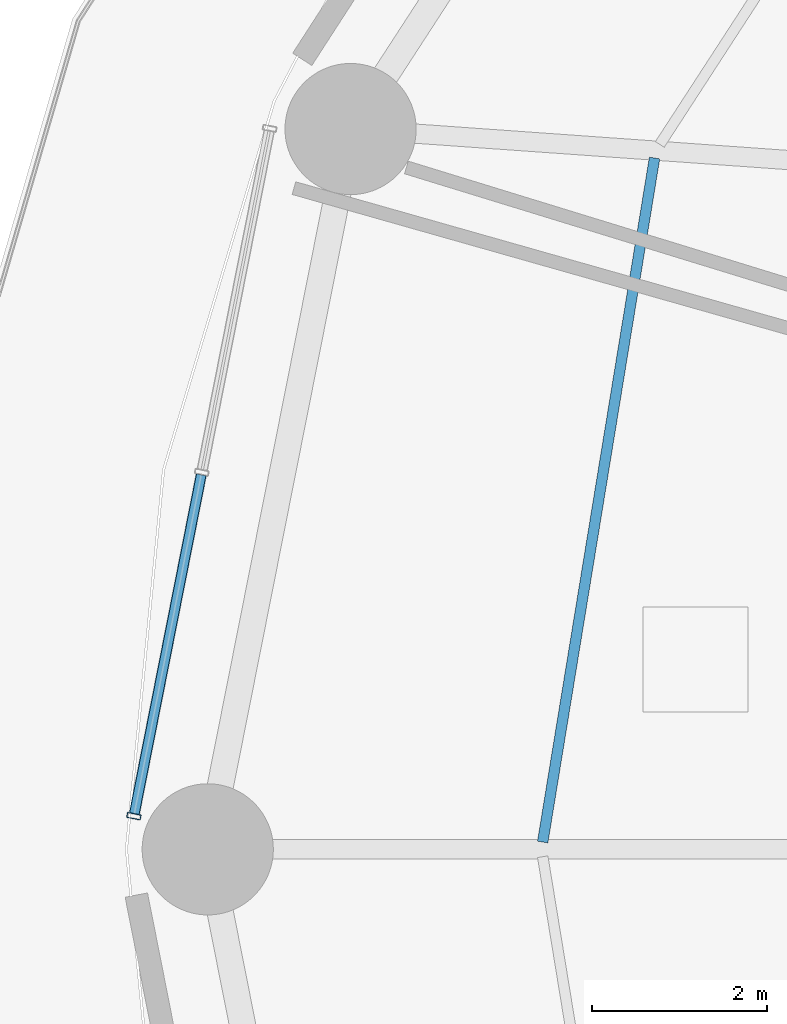
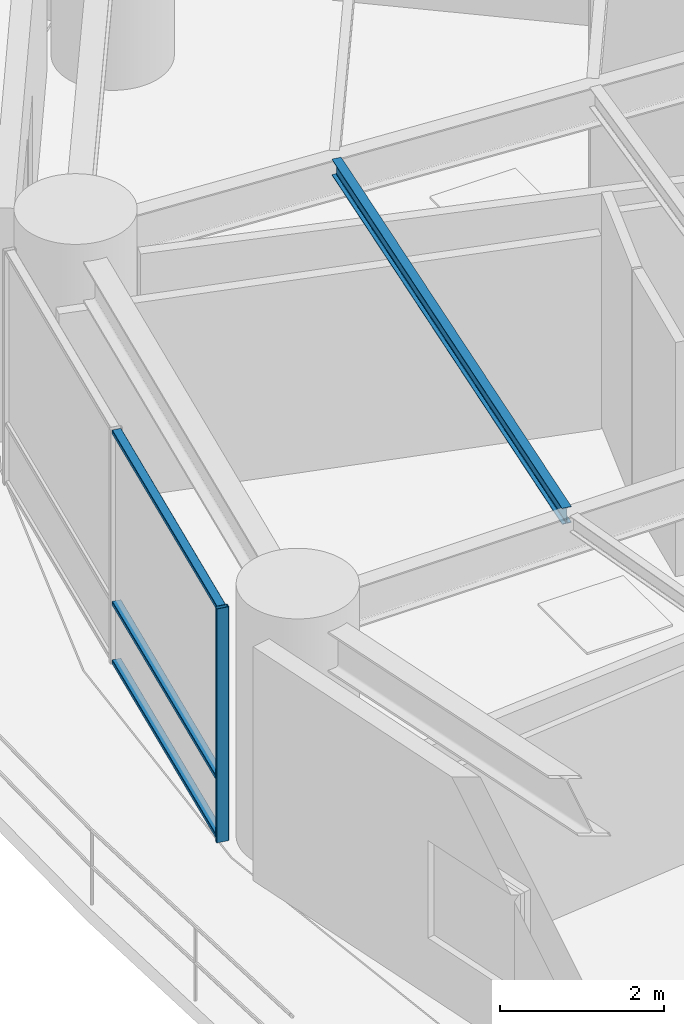
# One storey, part 6 of 32: 4 members, 1 beam, 1 element without a shape of its own.
"""IFC4 building model written with IfcOpenShell, lengths in metres."""

from ifc_helpers import new_model, si_unit, direction, frame, origin, origin_2d, place, context, subcontext, project, spatial, hollow_rectangle, i_section, extrude, material, layer, layer_set, material_profile, profile_set, type_object, element, aggregate, save


model = new_model("IFC4")

# Units and contexts
model_context = context("Model", 3, precision=1e-05, world=origin(), true_north=direction((0.0, 1.0)))
body_context = subcontext(model_context, "Body", "Model", "MODEL_VIEW")
ifc_project = project(units=[si_unit("LENGTHUNIT", "METRE"), si_unit("AREAUNIT", "SQUARE_METRE"), si_unit("VOLUMEUNIT", "CUBIC_METRE"), si_unit("PLANEANGLEUNIT", "RADIAN"), si_unit("MASSUNIT", "GRAM", prefix="KILO")], contexts=[model_context])

# Site, building, storey
site_placement = place(None, origin())
site = spatial("IfcSite", under=ifc_project, at=site_placement, CompositionType="ELEMENT")
building_placement = place(site_placement, origin())
building = spatial("IfcBuilding", under=site, at=building_placement, Name="Kelanora Arch Commons", CompositionType="ELEMENT")
storey_placement = place(building_placement, frame((0.0, 0.0, 52.5)))
storey = spatial("IfcBuildingStorey", under=building, at=storey_placement, Name="L13", CompositionType="ELEMENT", Elevation=52.5)

# Beam
ifc_material_1 = material(Name="Steel S355", Category="steel")
ifc_material_profile_1 = material_profile(ifc_material_1, i_section(OverallWidth=0.1201171875, OverallDepth=0.239990234375, WebThickness=0.006103515625, FlangeThickness=0.009765625, FilletRadius=0.014892578125, at=origin_2d()), Name="IPE240")
ifc_profile_set_1 = profile_set([ifc_material_profile_1], Name="Steel S355")
beam_type = type_object("IfcBeamType", Name="BM-JST-02", PredefinedType="JOIST", material=ifc_profile_set_1)
beam_placement = place(storey_placement, frame((52.02880859375, 65.90478515625, 3.3701171875), z_axis=(-0.161400737199, -0.986888951216, 0.0), x_axis=(0.986888951216, -0.161400737199, 0.0)))
element("IfcBeam", 1, at=beam_placement, inside=storey, type_object=beam_type, Name="Secondary Chord Joist BJC-16 L13", PredefinedType="JOIST", context=body_context, shape_type="SweptSolid", body=[
    extrude(i_section(OverallWidth=0.1201171875, OverallDepth=0.239990234375, WebThickness=0.006103515625, FlangeThickness=0.009765625, FilletRadius=0.014892578125, at=origin_2d()), origin(), (0.0, 0.0, 1.0), 7.9248046875),
])

# Curtain wall, members
ifc_material_2 = material(Name="Terracotta ceramic-fritted low-E glass and aluminium", Category="masonry")
ifc_layer = layer(ifc_material_2, 0.159912109375)
ifc_layer_set = layer_set([ifc_layer], Name="Terracotta ceramic-fritted low-E glass and aluminium")
curtain_wall_type = type_object("IfcCurtainWallType", Name="CW-SYS-01", PredefinedType="NOTDEFINED", material=ifc_layer_set)
curtain_wall_placement = place(storey_placement, origin())
curtain_wall = element("IfcCurtainWall", 2, at=curtain_wall_placement, inside=storey, type_object=curtain_wall_type, Name="Unitised Curtain Wall L13-B08", PredefinedType="NOTDEFINED")
ifc_material_3 = material(Name="Powder-coated aluminium terracotta", Category="masonry")
ifc_material_profile_2 = material_profile(ifc_material_3, hollow_rectangle(XDim=0.159912109375, YDim=0.06005859375, WallThickness=0.0048828125, InnerFilletRadius=0.0048828125, OuterFilletRadius=0.010009765625, at=origin_2d()), Name="CWM160x60")
ifc_profile_set_2 = profile_set([ifc_material_profile_2], Name="Powder-coated aluminium terracotta")
member_type_1 = type_object("IfcMemberType", Name="CWM-STD", PredefinedType="MULLION", material=ifc_profile_set_2)
member_1_placement = place(storey_placement, frame((46.074951171875, 58.379150390625, 0.0), z_axis=(0.0, 0.0, 1.0), x_axis=(0.981052110579, -0.193744048498, 0.0)))
member_1 = element("IfcMember", 3, at=member_1_placement, type_object=member_type_1, Name="CW-01 mullion 3", PredefinedType="MULLION", context=body_context, shape_type="SweptSolid", body=[
    extrude(hollow_rectangle(XDim=0.159912109375, YDim=0.06005859375, WallThickness=0.0048828125, InnerFilletRadius=0.0048828125, OuterFilletRadius=0.010009765625, at=origin_2d()), origin(), (0.0, 0.0, 1.0), 3.47509765625),
])
ifc_material_profile_3 = material_profile(ifc_material_3, hollow_rectangle(XDim=0.1201171875, YDim=0.06005859375, WallThickness=0.0048828125, InnerFilletRadius=0.0048828125, OuterFilletRadius=0.010009765625, at=origin_2d()), Name="CWT120x60")
ifc_profile_set_3 = profile_set([ifc_material_profile_3], Name="Powder-coated aluminium terracotta")
member_type_2 = type_object("IfcMemberType", Name="CWT-STD", PredefinedType="USERDEFINED", material=ifc_profile_set_3)
member_2_placement = place(storey_placement, frame((46.845703125, 62.281982421875, 0.030029296875), z_axis=(-0.193725436624, -0.98105578598, 0.0), x_axis=(0.98105578598, -0.193725436624, 0.0)))
member_2 = element("IfcMember", 4, at=member_2_placement, type_object=member_type_2, Name="CW-01 transom 2.1", ObjectType="TRANSOM", PredefinedType="USERDEFINED", context=body_context, shape_type="SweptSolid", body=[
    extrude(hollow_rectangle(XDim=0.1201171875, YDim=0.06005859375, WallThickness=0.0048828125, InnerFilletRadius=0.0048828125, OuterFilletRadius=0.010009765625, at=origin_2d()), origin(), (0.0, 0.0, 1.0), 3.9482421875),
])
member_3_placement = place(storey_placement, frame((46.845703125, 62.281982421875, 0.89990234375), z_axis=(-0.193725436624, -0.98105578598, 0.0), x_axis=(0.98105578598, -0.193725436624, 0.0)))
member_3 = element("IfcMember", 5, at=member_3_placement, type_object=member_type_2, Name="CW-01 transom 2.2", ObjectType="TRANSOM", PredefinedType="USERDEFINED", context=body_context, shape_type="SweptSolid", body=[
    extrude(hollow_rectangle(XDim=0.1201171875, YDim=0.06005859375, WallThickness=0.0048828125, InnerFilletRadius=0.0048828125, OuterFilletRadius=0.010009765625, at=origin_2d()), origin(), (0.0, 0.0, 1.0), 3.9482421875),
])
member_4_placement = place(storey_placement, frame((46.845703125, 62.281982421875, 3.445068359375), z_axis=(-0.193725436624, -0.98105578598, 0.0), x_axis=(0.98105578598, -0.193725436624, 0.0)))
member_4 = element("IfcMember", 6, at=member_4_placement, type_object=member_type_2, Name="CW-01 transom 2.3", ObjectType="TRANSOM", PredefinedType="USERDEFINED", context=body_context, shape_type="SweptSolid", body=[
    extrude(hollow_rectangle(XDim=0.1201171875, YDim=0.06005859375, WallThickness=0.0048828125, InnerFilletRadius=0.0048828125, OuterFilletRadius=0.010009765625, at=origin_2d()), origin(), (0.0, 0.0, 1.0), 3.9482421875),
])
aggregate(curtain_wall, [member_1, member_2, member_3, member_4])

save(model, "model.ifc")
